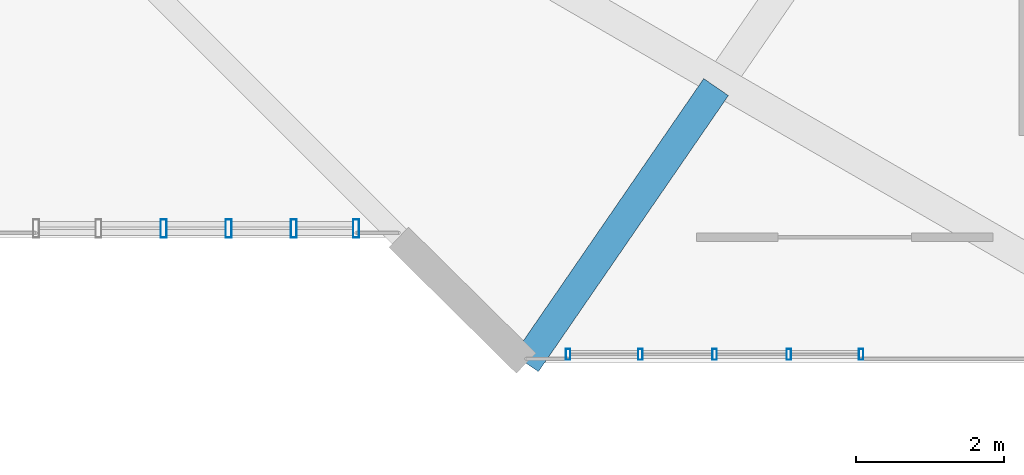
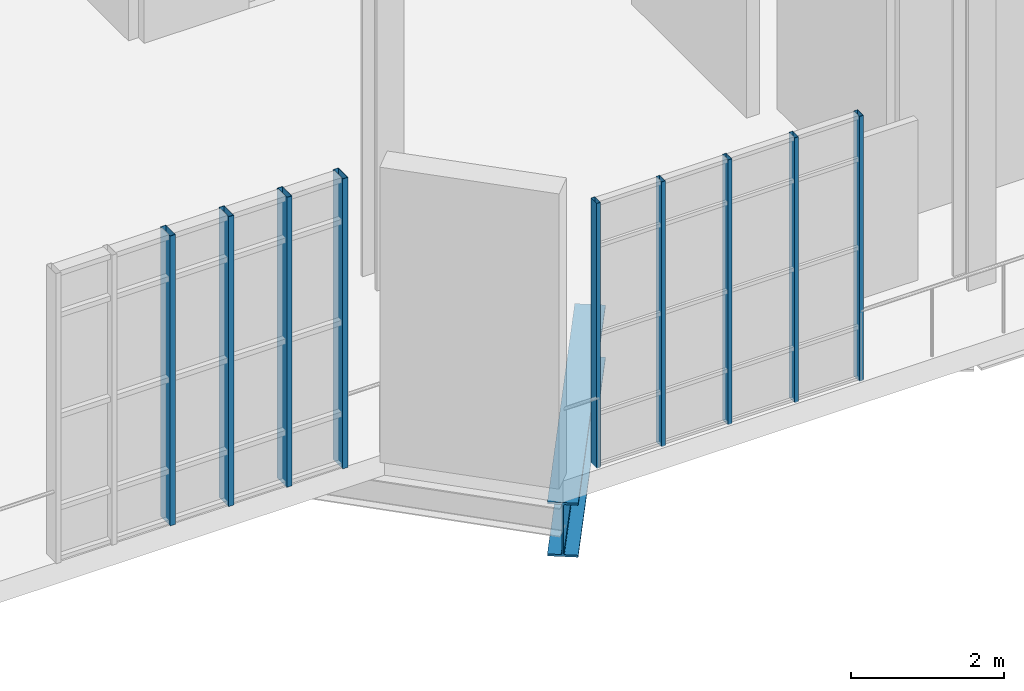
# One storey, part 43 of 189: 9 members, 1 beam, 2 elements without a shape of their own.
"""IFC4 building model written with IfcOpenShell, lengths in metres."""

from ifc_helpers import new_model, si_unit, direction, frame, origin, origin_2d, place, context, subcontext, project, spatial, hollow_rectangle, i_section, extrude, material, layer, layer_set, material_profile, profile_set, type_object, element, aggregate, save


model = new_model("IFC4")

# Units and contexts
model_context = context("Model", 3, precision=1e-05, world=origin(), true_north=direction((0.0, 1.0)))
body_context = subcontext(model_context, "Body", "Model", "MODEL_VIEW")
ifc_project = project(units=[si_unit("LENGTHUNIT", "METRE"), si_unit("AREAUNIT", "SQUARE_METRE"), si_unit("VOLUMEUNIT", "CUBIC_METRE"), si_unit("PLANEANGLEUNIT", "RADIAN"), si_unit("MASSUNIT", "GRAM", prefix="KILO"), si_unit("THERMODYNAMICTEMPERATUREUNIT", "KELVIN"), si_unit("POWERUNIT", "WATT")], contexts=[model_context])

# Site, building, storey
site_placement = place(None, origin())
site = spatial("IfcSite", under=ifc_project, at=site_placement, CompositionType="ELEMENT")
building_placement = place(site_placement, origin())
building = spatial("IfcBuilding", under=site, at=building_placement, Name="Zelmaris Science Centre", CompositionType="ELEMENT")
storey_placement = place(building_placement, origin())
storey = spatial("IfcBuildingStorey", under=building, at=storey_placement, Name="L00", CompositionType="ELEMENT", Elevation=0.0)

# Curtain wall, members
ifc_material_1 = material(Name="Anodised architectural aluminium 6063-T6", Category="aluminium")
ifc_layer_1 = layer(ifc_material_1, 0.219970703125, Name="Anodised architectural aluminium 6063-T6")
ifc_layer_set_1 = layer_set([ifc_layer_1], Name="Anodised architectural aluminium 6063-T6")
curtain_wall_type_1 = type_object("IfcCurtainWallType", Name="Curtain Wall CW-04", PredefinedType="USERDEFINED", material=ifc_layer_set_1)
curtain_wall_1_placement = place(storey_placement, origin())
curtain_wall_1 = element("IfcCurtainWall", 1, at=curtain_wall_1_placement, inside=storey, type_object=curtain_wall_type_1, Name="L00 Unitised curtain wall 120", ObjectType="GLAZED CURTAIN WALL", PredefinedType="USERDEFINED")
ifc_material_profile_1 = material_profile(ifc_material_1, hollow_rectangle(XDim=0.06005859375, YDim=0.14990234375, WallThickness=0.00341796875, at=origin_2d()), Name="ALU-MUL-60X150")
ifc_profile_set_1 = profile_set([ifc_material_profile_1], Name="Anodised architectural aluminium 6063-T6")
member_type_1 = type_object("IfcMemberType", Name="ALU-MUL-60X150", PredefinedType="MULLION", material=ifc_profile_set_1)
member_1_placement = place(storey_placement, frame((74.72314453125, 20.419921875, -0.014892578125), z_axis=(0.0, 0.0, 1.0), x_axis=(-0.999999999994, -3.490659e-06, 0.0)))
member_1 = element("IfcMember", 2, at=member_1_placement, type_object=member_type_1, Name="CW-04 mullion 1", PredefinedType="MULLION", context=body_context, shape_type="SweptSolid", body=[
    extrude(hollow_rectangle(XDim=0.06005859375, YDim=0.14990234375, WallThickness=0.00341796875, at=origin_2d()), origin(), (0.0, 0.0, 1.0), 4.218994140625),
])
member_2_placement = place(storey_placement, frame((73.747314453125, 20.419921875, -0.014892578125), z_axis=(0.0, 0.0, 1.0), x_axis=(-0.999999999994, -3.490659e-06, 0.0)))
member_2 = element("IfcMember", 3, at=member_2_placement, type_object=member_type_1, Name="CW-04 mullion 2", PredefinedType="MULLION", context=body_context, shape_type="SweptSolid", body=[
    extrude(hollow_rectangle(XDim=0.06005859375, YDim=0.14990234375, WallThickness=0.00341796875, at=origin_2d()), origin(), (0.0, 0.0, 1.0), 4.218994140625),
])
member_3_placement = place(storey_placement, frame((72.745361328125, 20.419921875, -0.014892578125), z_axis=(0.0, 0.0, 1.0), x_axis=(-0.999999999994, -3.490659e-06, 0.0)))
member_3 = element("IfcMember", 4, at=member_3_placement, type_object=member_type_1, Name="CW-04 mullion 3", PredefinedType="MULLION", context=body_context, shape_type="SweptSolid", body=[
    extrude(hollow_rectangle(XDim=0.06005859375, YDim=0.14990234375, WallThickness=0.00341796875, at=origin_2d()), origin(), (0.0, 0.0, 1.0), 4.218994140625),
])
member_4_placement = place(storey_placement, frame((71.743408203125, 20.419921875, -0.014892578125), z_axis=(0.0, 0.0, 1.0), x_axis=(-0.999999999994, -3.490659e-06, 0.0)))
member_4 = element("IfcMember", 5, at=member_4_placement, type_object=member_type_1, Name="CW-04 mullion 4", PredefinedType="MULLION", context=body_context, shape_type="SweptSolid", body=[
    extrude(hollow_rectangle(XDim=0.06005859375, YDim=0.14990234375, WallThickness=0.00341796875, at=origin_2d()), origin(), (0.0, 0.0, 1.0), 4.218994140625),
])
member_5_placement = place(storey_placement, frame((70.767578125, 20.419921875, -0.014892578125), z_axis=(0.0, 0.0, 1.0), x_axis=(-0.999999999994, -3.490659e-06, 0.0)))
member_5 = element("IfcMember", 6, at=member_5_placement, type_object=member_type_1, Name="CW-04 mullion 5", PredefinedType="MULLION", context=body_context, shape_type="SweptSolid", body=[
    extrude(hollow_rectangle(XDim=0.06005859375, YDim=0.14990234375, WallThickness=0.00341796875, at=origin_2d()), origin(), (0.0, 0.0, 1.0), 4.218994140625),
])
aggregate(curtain_wall_1, [member_1, member_2, member_3, member_4, member_5])

ifc_layer_2 = layer(ifc_material_1, 0.18994140625, Name="Anodised architectural aluminium 6063-T6")
ifc_layer_set_2 = layer_set([ifc_layer_2], Name="Anodised architectural aluminium 6063-T6")
curtain_wall_type_2 = type_object("IfcCurtainWallType", Name="Curtain Wall CW-01", PredefinedType="USERDEFINED", material=ifc_layer_set_2)
curtain_wall_2_placement = place(storey_placement, origin())
curtain_wall_2 = element("IfcCurtainWall", 7, at=curtain_wall_2_placement, inside=storey, type_object=curtain_wall_type_2, Name="L00 Unitised curtain wall 121", ObjectType="GLAZED CURTAIN WALL", PredefinedType="USERDEFINED")
ifc_material_profile_2 = material_profile(ifc_material_1, hollow_rectangle(XDim=0.080078125, YDim=0.25, WallThickness=0.0048828125, at=origin_2d()), Name="ALU-MUL-80X250")
ifc_profile_set_2 = profile_set([ifc_material_profile_2], Name="Anodised architectural aluminium 6063-T6")
member_type_2 = type_object("IfcMemberType", Name="ALU-MUL-80X250", PredefinedType="MULLION", material=ifc_profile_set_2)
member_6_placement = place(storey_placement, frame((67.905029296875, 22.11962890625, -0.014892578125), z_axis=(0.0, 0.0, 1.0), x_axis=(-0.999999999816, 1.9198622e-05, 0.0)))
member_6 = element("IfcMember", 8, at=member_6_placement, type_object=member_type_2, Name="CW-01 mullion 1", PredefinedType="MULLION", context=body_context, shape_type="SweptSolid", body=[
    extrude(hollow_rectangle(XDim=0.080078125, YDim=0.25, WallThickness=0.0048828125, at=origin_2d()), origin(), (0.0, 0.0, 1.0), 4.614990234375),
])
member_7_placement = place(storey_placement, frame((67.06298828125, 22.11962890625, -0.014892578125), z_axis=(0.0, 0.0, 1.0), x_axis=(-0.999999999816, 1.9198622e-05, 0.0)))
member_7 = element("IfcMember", 9, at=member_7_placement, type_object=member_type_2, Name="CW-01 mullion 2", PredefinedType="MULLION", context=body_context, shape_type="SweptSolid", body=[
    extrude(hollow_rectangle(XDim=0.080078125, YDim=0.25, WallThickness=0.0048828125, at=origin_2d()), origin(), (0.0, 0.0, 1.0), 4.614990234375),
])
member_8_placement = place(storey_placement, frame((66.184814453125, 22.11962890625, -0.014892578125), z_axis=(0.0, 0.0, 1.0), x_axis=(-0.999999999816, 1.9198622e-05, 0.0)))
member_8 = element("IfcMember", 10, at=member_8_placement, type_object=member_type_2, Name="CW-01 mullion 3", PredefinedType="MULLION", context=body_context, shape_type="SweptSolid", body=[
    extrude(hollow_rectangle(XDim=0.080078125, YDim=0.25, WallThickness=0.0048828125, at=origin_2d()), origin(), (0.0, 0.0, 1.0), 4.614990234375),
])
member_9_placement = place(storey_placement, frame((65.306640625, 22.119873046875, -0.014892578125), z_axis=(0.0, 0.0, 1.0), x_axis=(-0.999999999816, 1.9198622e-05, 0.0)))
member_9 = element("IfcMember", 11, at=member_9_placement, type_object=member_type_2, Name="CW-01 mullion 4", PredefinedType="MULLION", context=body_context, shape_type="SweptSolid", body=[
    extrude(hollow_rectangle(XDim=0.080078125, YDim=0.25, WallThickness=0.0048828125, at=origin_2d()), origin(), (0.0, 0.0, 1.0), 4.614990234375),
])
aggregate(curtain_wall_2, [member_6, member_7, member_8, member_9])

# Beam
ifc_material_2 = material(Name="Steel ASTM A992 Grade 50", Category="steel")
ifc_material_profile_3 = material_profile(ifc_material_2, i_section(OverallWidth=0.404052734375, OverallDepth=0.861083984375, WebThickness=0.019775390625, FlangeThickness=0.032470703125, FilletRadius=0.02001953125, at=origin_2d()), Name="W33X221")
ifc_profile_set_3 = profile_set([ifc_material_profile_3], Name="Steel ASTM A992 Grade 50")
beam_type = type_object("IfcBeamType", Name="Beam G-28 W33X221", PredefinedType="BEAM", material=ifc_profile_set_3)
beam_placement = place(storey_placement, frame((72.763916015625, 24.027099609375, -0.7705078125), z_axis=(-0.566771582571, -0.823874974246, 0.0), x_axis=(0.823874974246, -0.566771582571, 0.0)))
element("IfcBeam", 12, at=beam_placement, inside=storey, type_object=beam_type, Name="L00 Radial overhang girder 1", PredefinedType="BEAM", context=body_context, shape_type="SweptSolid", body=[
    extrude(i_section(OverallWidth=0.404052734375, OverallDepth=0.861083984375, WebThickness=0.019775390625, FlangeThickness=0.032470703125, FilletRadius=0.02001953125, at=origin_2d()), origin(), (0.0, 0.0, 1.0), 4.52392578125),
])

save(model, "model.ifc")
